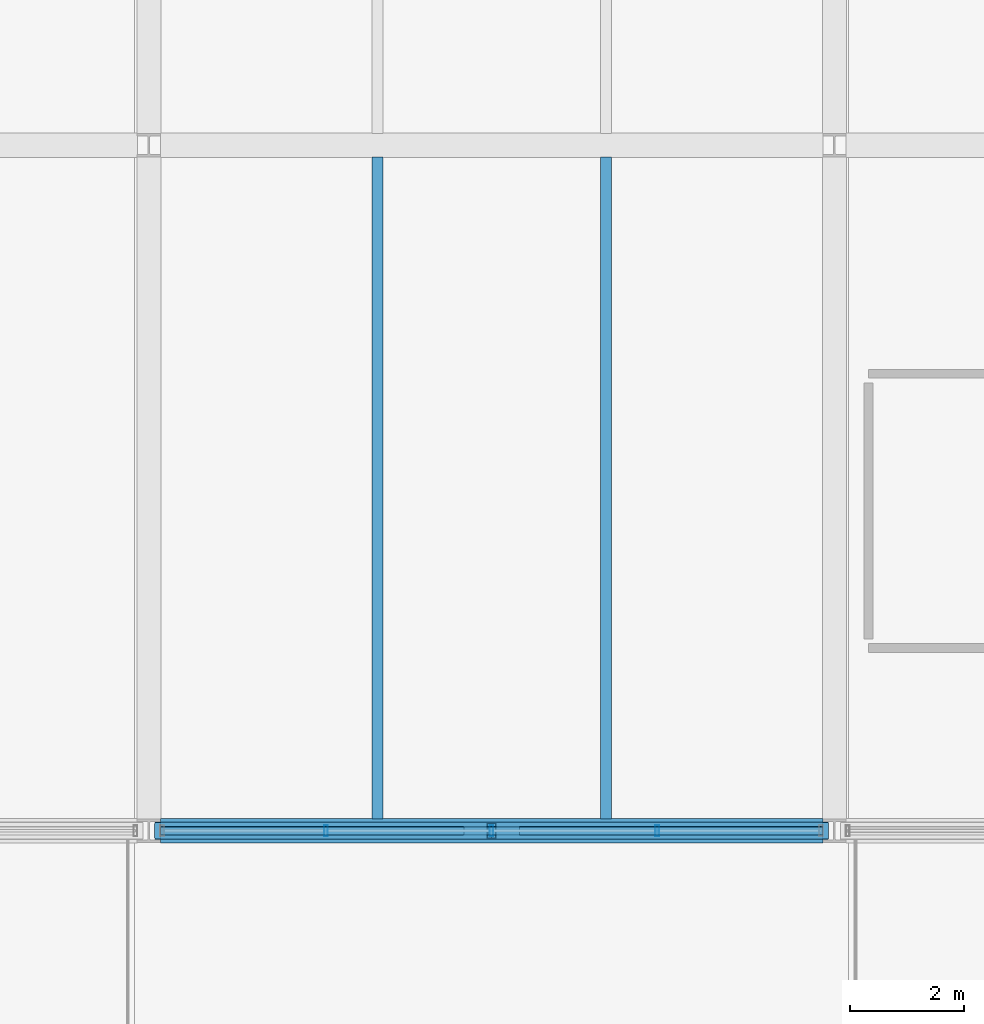
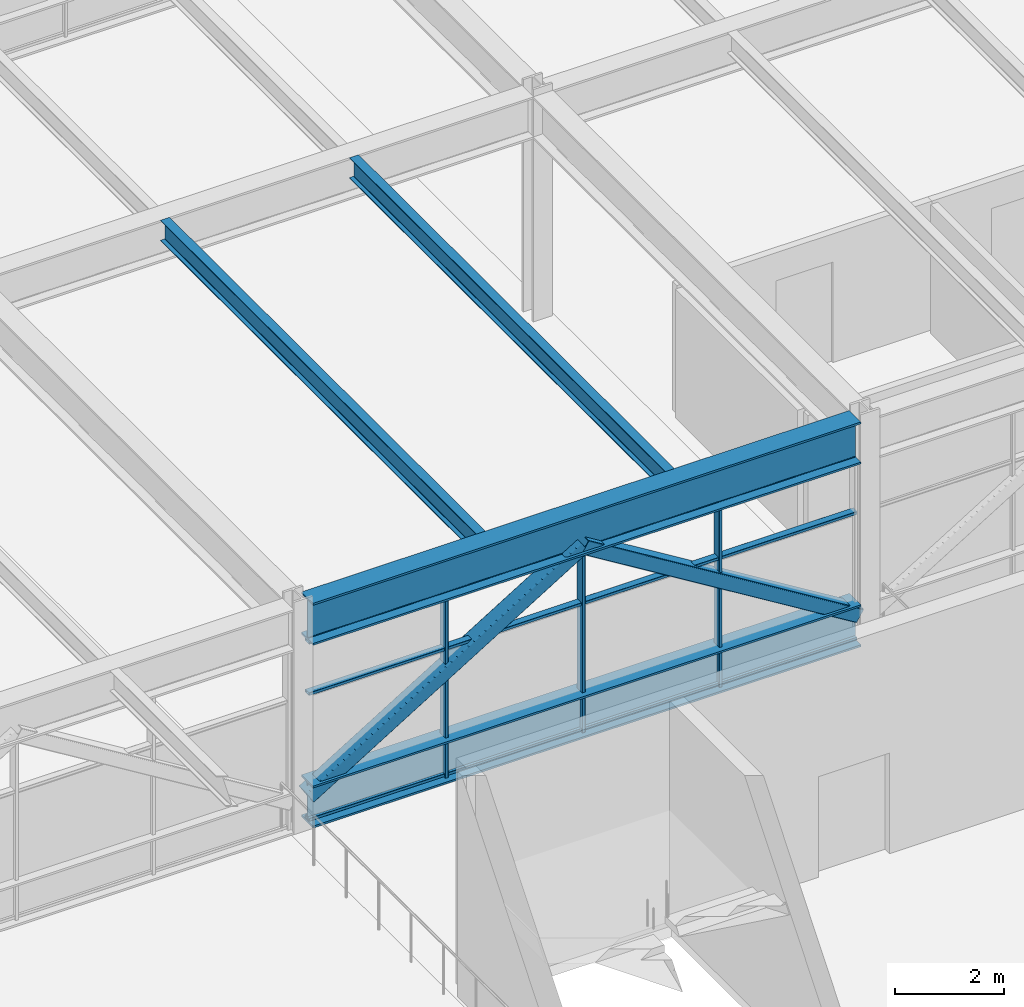
# One storey, part 13 of 42: 9 members, 3 beams, 1 element without a shape of its own.
"""IFC4 building model written with IfcOpenShell, lengths in metres."""

from ifc_helpers import new_model, si_unit, direction, frame, origin, origin_2d, place, context, subcontext, project, spatial, hollow_rectangle, i_section, extrude, material, material_profile, profile_set, type_object, element, aggregate, save


model = new_model("IFC4")

# Units and contexts
model_context = context("Model", 3, precision=1e-05, world=origin(), true_north=direction((0.0, 1.0)))
body_context = subcontext(model_context, "Body", "Model", "MODEL_VIEW")
ifc_project = project(units=[si_unit("LENGTHUNIT", "METRE"), si_unit("AREAUNIT", "SQUARE_METRE"), si_unit("VOLUMEUNIT", "CUBIC_METRE"), si_unit("PLANEANGLEUNIT", "RADIAN"), si_unit("MASSUNIT", "GRAM", prefix="KILO")], contexts=[model_context])

# Site, building, storey
site_placement = place(None, origin())
site = spatial("IfcSite", under=ifc_project, at=site_placement, CompositionType="ELEMENT")
building_placement = place(site_placement, origin())
building = spatial("IfcBuilding", under=site, at=building_placement, Name="Girod Span Mobility Hub", CompositionType="ELEMENT")
storey_placement = place(building_placement, frame((0.0, 0.0, 32.39990234375)))
storey = spatial("IfcBuildingStorey", under=building, at=storey_placement, Name="L08", CompositionType="ELEMENT", Elevation=32.39990234375)

# Beams
ifc_material_1 = material(Name="Steel A992 Grade 50", Category="steel")
ifc_material_profile_1 = material_profile(ifc_material_1, i_section(OverallWidth=0.19189453125, OverallDepth=0.462890625, WebThickness=0.010498046875, FlangeThickness=0.017578125, FilletRadius=0.013916015625, at=origin_2d()), Name="W18X60")
ifc_profile_set_1 = profile_set([ifc_material_profile_1], Name="Steel A992 Grade 50")
beam_type_1 = type_object("IfcBeamType", Name="BM-STL-W18X60", PredefinedType="BEAM", material=ifc_profile_set_1)
for number, where, z_axis, x_axis, name in (
    (1, (76.0, 45.20849609375, 4.80859375), (0.0, 1.0, 0.0), (-1.0, 0.0, 0.0), "Composite Floorbeam 7/D-1 L08"),
    (2, (80.0, 45.20849609375, 4.80859375), (0.0, 1.0, 0.0), (-1.0, 0.0, 0.0), "Composite Floorbeam 7/D-2 L08"),
):
    element("IfcBeam", number, at=place(storey_placement, frame(where, z_axis=z_axis, x_axis=x_axis)), inside=storey, type_object=beam_type_1, Name=name, PredefinedType="BEAM", context=body_context, shape_type="SweptSolid", body=[
        extrude(i_section(OverallWidth=0.19189453125, OverallDepth=0.462890625, WebThickness=0.010498046875, FlangeThickness=0.017578125, FilletRadius=0.013916015625, at=origin_2d()), origin(), (0.0, 0.0, 1.0), 11.5830078125),
    ])
ifc_material_2 = material(Name="Steel A992 Grade 50", Category="steel")
ifc_material_profile_2 = material_profile(ifc_material_2, i_section(OverallWidth=0.423095703125, OverallDepth=0.93994140625, WebThickness=0.02392578125, FlangeThickness=0.042724609375, FilletRadius=0.02392578125, at=origin_2d()), Name="W36X302")
ifc_profile_set_2 = profile_set([ifc_material_profile_2], Name="Steel A992 Grade 50")
beam_type_2 = type_object("IfcBeamType", Name="BM-STL-W36X302", PredefinedType="BEAM", material=ifc_profile_set_2)
beam_placement = place(storey_placement, frame((72.199951171875, 45.0, 4.570068359375), z_axis=(1.0, 0.0, 0.0), x_axis=(0.0, 1.0, 0.0)))
element("IfcBeam", 3, at=beam_placement, inside=storey, type_object=beam_type_2, Name="Girder 7-8/D L08", PredefinedType="BEAM", context=body_context, shape_type="SweptSolid", body=[
    extrude(i_section(OverallWidth=0.423095703125, OverallDepth=0.93994140625, WebThickness=0.02392578125, FlangeThickness=0.042724609375, FilletRadius=0.02392578125, at=origin_2d()), origin(), (0.0, 0.0, 1.0), 11.60009765625),
])

# Curtain wall, members
ifc_material_3 = material(Name="Thermally Broken Anodised Aluminium", Category="aluminium")
curtain_wall_type = type_object("IfcCurtainWallType", Name="CW-1160X410", PredefinedType="USERDEFINED", material=ifc_material_3)
curtain_wall_placement = place(storey_placement, origin())
curtain_wall = element("IfcCurtainWall", 4, at=curtain_wall_placement, inside=storey, type_object=curtain_wall_type, Name="Unitised Curtain Wall CW-L08-S07 L08", ObjectType="UNITISED CURTAIN WALL", PredefinedType="USERDEFINED")
ifc_material_4 = material(Name="Thermally Broken Anodised Aluminium", Category="aluminium")
ifc_material_profile_3 = material_profile(ifc_material_4, hollow_rectangle(XDim=0.199951171875, YDim=0.06494140625, WallThickness=0.00390625, InnerFilletRadius=0.00390625, OuterFilletRadius=0.008056640625, at=origin_2d()), Name="CW-ML-65X200")
ifc_profile_set_3 = profile_set([ifc_material_profile_3], Name="Thermally Broken Anodised Aluminium")
member_type_1 = type_object("IfcMemberType", Name="CWM-ML-1", PredefinedType="MULLION", material=ifc_profile_set_3)
member_1_placement = place(storey_placement, frame((75.1005859375, 45.0, 0.0), z_axis=(0.0, 0.0, 1.0), x_axis=(0.0, 1.0, 0.0)))
member_1 = element("IfcMember", 5, at=member_1_placement, type_object=member_type_1, Name="Curtain Wall Mullion CW-L08-S07-M1", PredefinedType="MULLION", context=body_context, shape_type="SweptSolid", body=[
    extrude(hollow_rectangle(XDim=0.199951171875, YDim=0.06494140625, WallThickness=0.00390625, InnerFilletRadius=0.00390625, OuterFilletRadius=0.008056640625, at=origin_2d()), origin(), (0.0, 0.0, 1.0), 4.10009765625),
])
member_2_placement = place(storey_placement, frame((78.0, 45.0, 0.0), z_axis=(0.0, 0.0, 1.0), x_axis=(0.0, 1.0, 0.0)))
member_2 = element("IfcMember", 6, at=member_2_placement, type_object=member_type_1, Name="Curtain Wall Mullion CW-L08-S07-M2", PredefinedType="MULLION", context=body_context, shape_type="SweptSolid", body=[
    extrude(hollow_rectangle(XDim=0.199951171875, YDim=0.06494140625, WallThickness=0.00390625, InnerFilletRadius=0.00390625, OuterFilletRadius=0.008056640625, at=origin_2d()), origin(), (0.0, 0.0, 1.0), 4.10009765625),
])
member_3_placement = place(storey_placement, frame((80.8994140625, 45.0, 0.0), z_axis=(0.0, 0.0, 1.0), x_axis=(0.0, 1.0, 0.0)))
member_3 = element("IfcMember", 7, at=member_3_placement, type_object=member_type_1, Name="Curtain Wall Mullion CW-L08-S07-M3", PredefinedType="MULLION", context=body_context, shape_type="SweptSolid", body=[
    extrude(hollow_rectangle(XDim=0.199951171875, YDim=0.06494140625, WallThickness=0.00390625, InnerFilletRadius=0.00390625, OuterFilletRadius=0.008056640625, at=origin_2d()), origin(), (0.0, 0.0, 1.0), 4.10009765625),
])
ifc_material_5 = material(Name="Thermally Broken Anodised Aluminium", Category="aluminium")
ifc_material_profile_4 = material_profile(ifc_material_5, hollow_rectangle(XDim=0.14990234375, YDim=0.06494140625, WallThickness=0.00390625, InnerFilletRadius=0.00390625, OuterFilletRadius=0.008056640625, at=origin_2d()), Name="CW-TR-65X150")
ifc_profile_set_4 = profile_set([ifc_material_profile_4], Name="Thermally Broken Anodised Aluminium")
member_type_2 = type_object("IfcMemberType", Name="CWM-TR-1", PredefinedType="USERDEFINED", material=ifc_profile_set_4)
member_4_placement = place(storey_placement, frame((72.200927734375, 45.0, 0.107666015625), z_axis=(1.0, 0.0, 0.0), x_axis=(0.0, 1.0, 0.0)))
member_4 = element("IfcMember", 8, at=member_4_placement, type_object=member_type_2, Name="Curtain Wall Transom CW-L08-S07-T1", ObjectType="TRANSOM", PredefinedType="USERDEFINED", context=body_context, shape_type="SweptSolid", body=[
    extrude(hollow_rectangle(XDim=0.14990234375, YDim=0.06494140625, WallThickness=0.00390625, InnerFilletRadius=0.00390625, OuterFilletRadius=0.008056640625, at=origin_2d()), origin(), (0.0, 0.0, 1.0), 11.59814453125),
])
member_5_placement = place(storey_placement, frame((72.200927734375, 45.0, 2.919677734375), z_axis=(1.0, 0.0, 0.0), x_axis=(0.0, 1.0, 0.0)))
member_5 = element("IfcMember", 9, at=member_5_placement, type_object=member_type_2, Name="Curtain Wall Transom CW-L08-S07-T2", ObjectType="TRANSOM", PredefinedType="USERDEFINED", context=body_context, shape_type="SweptSolid", body=[
    extrude(hollow_rectangle(XDim=0.14990234375, YDim=0.06494140625, WallThickness=0.00390625, InnerFilletRadius=0.00390625, OuterFilletRadius=0.008056640625, at=origin_2d()), origin(), (0.0, 0.0, 1.0), 11.59814453125),
])
member_6_placement = place(storey_placement, frame((72.200927734375, 45.0, 4.067626953125), z_axis=(1.0, 0.0, 0.0), x_axis=(0.0, 1.0, 0.0)))
member_6 = element("IfcMember", 10, at=member_6_placement, type_object=member_type_2, Name="Curtain Wall Transom CW-L08-S07-T3", ObjectType="TRANSOM", PredefinedType="USERDEFINED", context=body_context, shape_type="SweptSolid", body=[
    extrude(hollow_rectangle(XDim=0.14990234375, YDim=0.06494140625, WallThickness=0.00390625, InnerFilletRadius=0.00390625, OuterFilletRadius=0.008056640625, at=origin_2d()), origin(), (0.0, 0.0, 1.0), 11.59814453125),
])
aggregate(curtain_wall, [member_1, member_2, member_3, member_4, member_5, member_6])

# Members
ifc_material_6 = material(Name="Steel HSS A500 Grade C", Category="steel")
ifc_material_profile_5 = material_profile(ifc_material_6, hollow_rectangle(XDim=0.304931640625, YDim=0.304931640625, WallThickness=0.014892578125, InnerFilletRadius=0.014892578125, OuterFilletRadius=0.029541015625, at=origin_2d()), Name="HSS305X305X16")
ifc_profile_set_5 = profile_set([ifc_material_profile_5], Name="Steel HSS A500 Grade C")
member_type_3 = type_object("IfcMemberType", Name="MB-BR-HSS305", PredefinedType="BRACE", material=ifc_profile_set_5)
for number, where, z_axis, x_axis, name in (
    (11, (72.18310546875, 45.0, 0.650146484375), (0.852282861165, 0.0, 0.523081183531), (0.0, 1.0, 0.0), "Warren Transfer Truss Web Diagonal Y=45 7-L"),
    (12, (83.81689453125, 45.0, 0.650146484375), (-0.852282861165, 0.0, 0.523081183531), (0.0, -1.0, 0.0), "Warren Transfer Truss Web Diagonal Y=45 7-R"),
):
    element("IfcMember", number, at=place(storey_placement, frame(where, z_axis=z_axis, x_axis=x_axis)), inside=storey, type_object=member_type_3, Name=name, PredefinedType="BRACE", context=body_context, shape_type="SweptSolid", body=[
        extrude(hollow_rectangle(XDim=0.304931640625, YDim=0.304931640625, WallThickness=0.014892578125, InnerFilletRadius=0.014892578125, OuterFilletRadius=0.029541015625, at=origin_2d()), origin(), (0.0, 0.0, 1.0), 6.8251953125),
    ])
ifc_material_7 = material(Name="Steel A992 Grade 50", Category="steel")
ifc_material_profile_6 = material_profile(ifc_material_7, i_section(OverallWidth=0.423095703125, OverallDepth=0.93994140625, WebThickness=0.02392578125, FlangeThickness=0.042724609375, FilletRadius=0.02392578125, at=origin_2d()), Name="W36X302")
ifc_profile_set_6 = profile_set([ifc_material_profile_6], Name="Steel A992 Grade 50")
member_type_4 = type_object("IfcMemberType", Name="MB-CH-W36X302", PredefinedType="CHORD", material=ifc_profile_set_6)
member_7_placement = place(storey_placement, frame((72.199951171875, 45.0, 0.47998046875), z_axis=(1.0, 0.0, 0.0), x_axis=(0.0, 1.0, 0.0)))
element("IfcMember", 13, at=member_7_placement, inside=storey, type_object=member_type_4, Name="Warren Transfer Truss Bottom Chord Y=45 Bay 7", PredefinedType="CHORD", context=body_context, shape_type="SweptSolid", body=[
    extrude(i_section(OverallWidth=0.423095703125, OverallDepth=0.93994140625, WebThickness=0.02392578125, FlangeThickness=0.042724609375, FilletRadius=0.02392578125, at=origin_2d()), origin(), (0.0, 0.0, 1.0), 11.60009765625),
])

save(model, "model.ifc")
